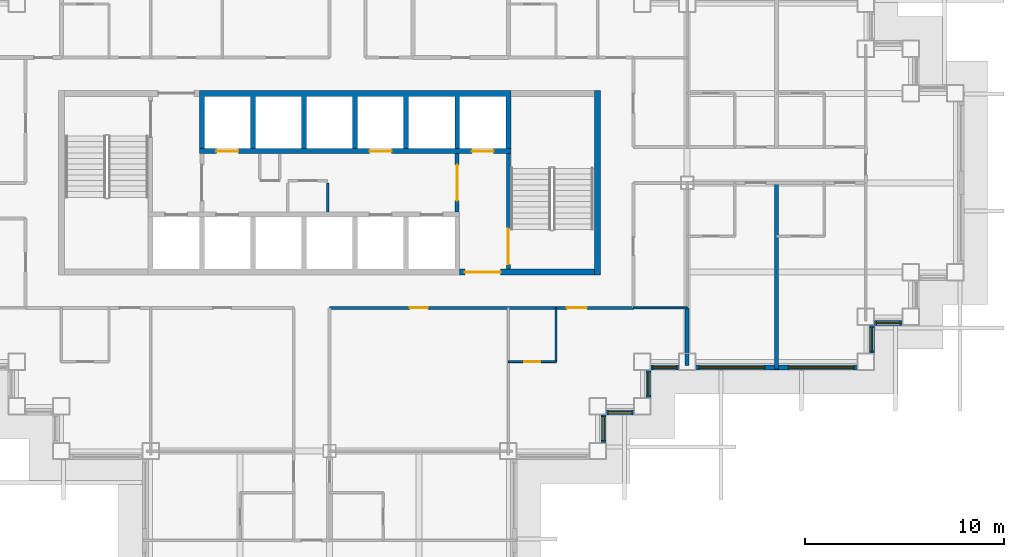
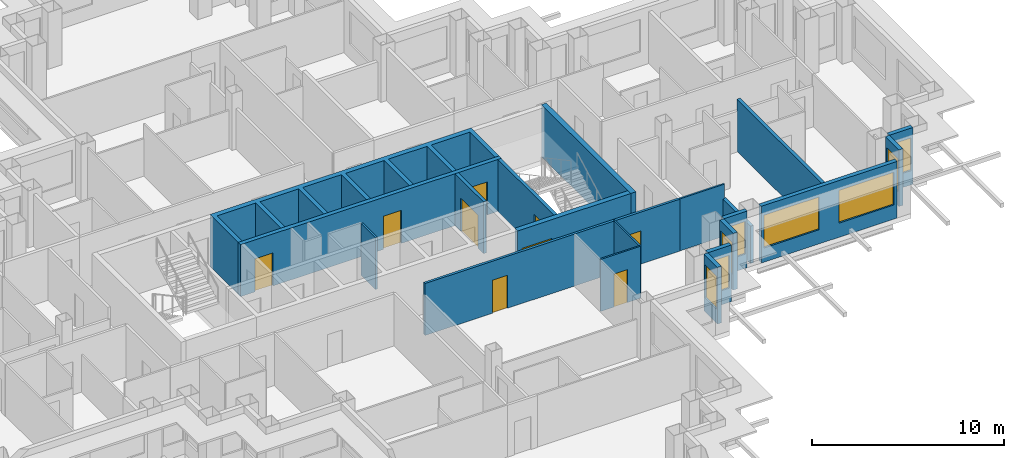
# One storey, part 7 of 17: 20 walls, 9 doors, 8 windows, 17 openings.
"""IFC4 building model written with IfcOpenShell, lengths in metres."""

from ifc_helpers import new_model, si_unit, direction, frame, frame_2d, origin, place, context, subcontext, project, spatial, polyline, rectangle, outline, extrude, material, layer, layer_set, type_object, element, fill, save


model = new_model("IFC4")

# Units and contexts
model_context = context("Model", 3, precision=1e-05, world=origin(), true_north=direction((0.0, 1.0)))
body_context = subcontext(model_context, "Body", "Model", "MODEL_VIEW")
ifc_project = project(units=[si_unit("LENGTHUNIT", "METRE"), si_unit("AREAUNIT", "SQUARE_METRE"), si_unit("VOLUMEUNIT", "CUBIC_METRE"), si_unit("PLANEANGLEUNIT", "RADIAN"), si_unit("MASSUNIT", "GRAM", prefix="KILO")], contexts=[model_context])

# Site, building, storey
site_placement = place(None, origin())
site = spatial("IfcSite", under=ifc_project, at=site_placement, CompositionType="ELEMENT")
building_placement = place(site_placement, origin())
building = spatial("IfcBuilding", under=site, at=building_placement, Name="Caravel Reach Hotel and Residences", CompositionType="ELEMENT")
storey_placement = place(building_placement, frame((0.0, 0.0, 126.0)))
storey = spatial("IfcBuildingStorey", under=building, at=storey_placement, Name="L31", CompositionType="ELEMENT", Elevation=126.0)

# Wall, opening, door
ifc_material_1 = material(Name="Gypsum board on steel stud", Category="steel")
ifc_layer_1 = layer(ifc_material_1, 0.10009765625)
ifc_layer_set_1 = layer_set([ifc_layer_1], Name="Bathroom pod wall 100 mm")
wall_type_1 = type_object("IfcWallType", Name="Bathroom pod wall 100 mm", PredefinedType="PARTITIONING", material=ifc_layer_set_1)
wall_1_placement = place(storey_placement, frame((40.5, 18.0, 0.0), z_axis=(0.0, 0.0, 1.0), x_axis=(1.0, 0.0, 0.0)))
wall_1 = element("IfcWall", 1, at=wall_1_placement, inside=storey, type_object=wall_type_1, Name="L31 wall w070", PredefinedType="PARTITIONING", context=body_context, shape_type="SweptSolid", body=[
    extrude(rectangle(XDim=2.39990234375, YDim=0.10009765625, at=frame_2d((1.199951171875, 0.0))), origin(), (0.0, 0.0, 1.0), 3.300048828125),
])
opening_1_placement = place(wall_1_placement, frame((0.800048828125, 0.0, 0.0)))
opening_1 = element("IfcOpeningElement", 2, at=opening_1_placement, cuts=wall_1, Name="Opening D31-049", PredefinedType="OPENING", context=body_context, shape_type="SweptSolid", body=[
    extrude(rectangle(XDim=0.800048828125, YDim=2.10009765625, at=frame_2d((0.39990234375, 1.050048828125))), frame((0.0, 0.06005859375, 0.0), z_axis=(0.0, -1.0, 0.0), x_axis=(1.0, 0.0, 0.0)), (0.0, 0.0, 1.0), 0.1201171875),
])
ifc_material_2 = material(Name="Timber and steel door leaf", Category="steel")
door_type_1 = type_object("IfcDoorType", Name="Bathroom door 800 x 2100", OperationType="SINGLE_SWING_LEFT", PredefinedType="DOOR", material=ifc_material_2)
door_1_placement = place(opening_1_placement, origin())
door_1 = element("IfcDoor", 3, at=door_1_placement, inside=storey, type_object=door_type_1, Name="door D31-049", OperationType="SINGLE_SWING_RIGHT", OverallHeight=2.10009765625, OverallWidth=0.800048828125, PredefinedType="DOOR", context=body_context, shape_type="SweptSolid", body=[
    extrude(rectangle(XDim=0.800048828125, YDim=2.10009765625, at=frame_2d((0.39990234375, 1.050048828125))), frame((0.0, 0.02490234375, 0.0), z_axis=(0.0, -1.0, 0.0), x_axis=(1.0, 0.0, 0.0)), (0.0, 0.0, 1.0), 0.050048828125),
])
fill(opening_1, door_1)

# Wall
wall_2_placement = place(storey_placement, frame((42.89990234375, 18.0, 0.0), z_axis=(0.0, 0.0, 1.0), x_axis=(0.0, 1.0, 0.0)))
element("IfcWall", 4, at=wall_2_placement, inside=storey, type_object=wall_type_1, Name="L31 wall w091", PredefinedType="PARTITIONING", context=body_context, shape_type="SweptSolid", body=[
    extrude(rectangle(XDim=2.699951171875, YDim=0.10009765625, at=frame_2d((1.35009765625, 0.0))), origin(), (0.0, 0.0, 1.0), 3.300048828125),
])

# Wall, opening, door
ifc_material_3 = material(Name="Concrete C60", Category="concrete")
ifc_layer_2 = layer(ifc_material_3, 0.300048828125)
ifc_layer_set_2 = layer_set([ifc_layer_2], Name="Core wall 300 mm EI 120")
wall_type_2 = type_object("IfcWallType", Name="Core wall 300 mm EI 120", PredefinedType="SHEAR", material=ifc_layer_set_2)
wall_3_placement = place(storey_placement, frame((38.053466796875, 22.5, 0.0), z_axis=(0.0, 0.0, 1.0), x_axis=(1.0, 0.0, 0.0)))
wall_3 = element("IfcWall", 5, at=wall_3_placement, inside=storey, type_object=wall_type_2, Name="L31 core wall S2", PredefinedType="SHEAR", context=body_context, shape_type="SweptSolid", body=[
    extrude(rectangle(XDim=6.796630859375, YDim=0.300048828125, at=frame_2d((3.3984375, 0.0))), origin(), (0.0, 0.0, 1.0), 3.300048828125),
])
opening_2_placement = place(wall_3_placement, frame((0.2607421875, 0.0, 0.0)))
opening_2 = element("IfcOpeningElement", 6, at=opening_2_placement, cuts=wall_3, Name="Opening D31-015", PredefinedType="OPENING", context=body_context, shape_type="SweptSolid", body=[
    extrude(rectangle(XDim=1.800048828125, YDim=2.10009765625, at=frame_2d((0.89990234375, 1.050048828125))), frame((0.0, 0.159912109375, 0.0), z_axis=(0.0, -1.0, 0.0), x_axis=(1.0, 0.0, 0.0)), (0.0, 0.0, 1.0), 0.320068359375),
])
ifc_material_4 = material(Name="Steel fire door leaf", Category="steel")
door_type_2 = type_object("IfcDoorType", Name="Fire lobby door pair 1800 x 2100 EI 90", OperationType="DOUBLE_DOOR_SINGLE_SWING", PredefinedType="DOOR", material=ifc_material_4)
door_2_placement = place(opening_2_placement, origin())
door_2 = element("IfcDoor", 7, at=door_2_placement, inside=storey, type_object=door_type_2, Name="lobby S door pair to corridor", OperationType="DOUBLE_DOOR_SINGLE_SWING", OverallHeight=2.10009765625, OverallWidth=1.800048828125, PredefinedType="DOOR", context=body_context, shape_type="SweptSolid", body=[
    extrude(rectangle(XDim=1.800048828125, YDim=2.10009765625, at=frame_2d((0.89990234375, 1.050048828125))), frame((0.0, 0.02490234375, 0.0), z_axis=(0.0, -1.0, 0.0), x_axis=(1.0, 0.0, 0.0)), (0.0, 0.0, 1.0), 0.050048828125),
])
fill(opening_2, door_2)

# Wall
wall_4_placement = place(storey_placement, frame((45.0, 22.35009765625, 0.0), z_axis=(0.0, 0.0, 1.0), x_axis=(0.0, 1.0, 0.0)))
element("IfcWall", 8, at=wall_4_placement, inside=storey, type_object=wall_type_2, Name="L31 core wall E", PredefinedType="SHEAR", context=body_context, shape_type="SweptSolid", body=[
    extrude(rectangle(XDim=9.2998046875, YDim=0.300048828125, at=frame_2d((4.64990234375, 0.0))), origin(), (0.0, 0.0, 1.0), 3.300048828125),
])

# Wall, openings, doors
ifc_material_5 = material(Name="Gypsum board on steel stud, fire-rated", Category="steel")
ifc_layer_3 = layer(ifc_material_5, 0.14990234375)
ifc_layer_set_3 = layer_set([ifc_layer_3], Name="Corridor wall 150 mm EI 60")
wall_type_3 = type_object("IfcWallType", Name="Corridor wall 150 mm EI 60", PredefinedType="PARTITIONING", material=ifc_layer_set_3)
wall_5_placement = place(storey_placement, frame((31.5, 20.699951171875, 0.0), z_axis=(0.0, 0.0, 1.0), x_axis=(1.0, 0.0, 0.0)))
wall_5 = element("IfcWall", 9, at=wall_5_placement, inside=storey, type_object=wall_type_3, Name="L31 wall w004", PredefinedType="PARTITIONING", context=body_context, shape_type="SweptSolid", body=[
    extrude(rectangle(XDim=15.300048828125, YDim=0.14990234375, at=frame_2d((7.64990234375, 0.0))), origin(), (0.0, 0.0, 1.0), 3.300048828125),
])
opening_3_placement = place(wall_5_placement, frame((11.949951171875, 0.0, 0.0)))
opening_3 = element("IfcOpeningElement", 10, at=opening_3_placement, cuts=wall_5, Name="Opening D31-048", PredefinedType="OPENING", context=body_context, shape_type="SweptSolid", body=[
    extrude(rectangle(XDim=1.0, YDim=2.10009765625, at=frame_2d((0.5, 1.050048828125))), frame((0.0, 0.0849609375, 0.0), z_axis=(0.0, -1.0, 0.0), x_axis=(1.0, 0.0, 0.0)), (0.0, 0.0, 1.0), 0.169921875),
])
opening_4_placement = place(wall_5_placement, frame((4.050048828125, 0.0, 0.0)))
opening_4 = element("IfcOpeningElement", 11, at=opening_4_placement, cuts=wall_5, Name="Opening D31-055", PredefinedType="OPENING", context=body_context, shape_type="SweptSolid", body=[
    extrude(rectangle(XDim=0.89990234375, YDim=2.10009765625, at=frame_2d((0.449951171875, 1.050048828125))), frame((0.0, 0.0849609375, 0.0), z_axis=(0.0, -1.0, 0.0), x_axis=(1.0, 0.0, 0.0)), (0.0, 0.0, 1.0), 0.169921875),
])
ifc_material_6 = material(Name="Timber and steel door leaf", Category="steel")
door_type_3 = type_object("IfcDoorType", Name="Door 900 x 2100 timber", OperationType="SINGLE_SWING_LEFT", PredefinedType="DOOR", material=ifc_material_6)
door_3_placement = place(opening_4_placement, origin())
door_3 = element("IfcDoor", 12, at=door_3_placement, inside=storey, type_object=door_type_3, Name="door D31-055", OperationType="SINGLE_SWING_RIGHT", OverallHeight=2.10009765625, OverallWidth=0.89990234375, PredefinedType="DOOR", context=body_context, shape_type="SweptSolid", body=[
    extrude(rectangle(XDim=0.89990234375, YDim=2.10009765625, at=frame_2d((0.449951171875, 1.050048828125))), frame((0.0, 0.02490234375, 0.0), z_axis=(0.0, -1.0, 0.0), x_axis=(1.0, 0.0, 0.0)), (0.0, 0.0, 1.0), 0.050048828125),
])
fill(opening_4, door_3)
ifc_material_7 = material(Name="Steel fire door leaf", Category="steel")
door_type_4 = type_object("IfcDoorType", Name="Guest room door 1000 x 2100 EI 30", OperationType="SINGLE_SWING_LEFT", PredefinedType="DOOR", material=ifc_material_7)
door_4_placement = place(opening_3_placement, origin())
door_4 = element("IfcDoor", 13, at=door_4_placement, inside=storey, type_object=door_type_4, Name="door D31-048", OperationType="SINGLE_SWING_RIGHT", OverallHeight=2.10009765625, OverallWidth=1.0, PredefinedType="DOOR", context=body_context, shape_type="SweptSolid", body=[
    extrude(rectangle(XDim=1.0, YDim=2.10009765625, at=frame_2d((0.5, 1.050048828125))), frame((0.0, 0.02490234375, 0.0), z_axis=(0.0, -1.0, 0.0), x_axis=(1.0, 0.0, 0.0)), (0.0, 0.0, 1.0), 0.050048828125),
])
fill(opening_3, door_4)

# Wall, opening, window
ifc_material_8 = material(Name="Insulated rainscreen wall, aluminium cladding", Category="aluminium")
ifc_layer_4 = layer(ifc_material_8, 0.25)
ifc_layer_set_4 = layer_set([ifc_layer_4], Name="EW1 Tower rainscreen wall")
wall_type_4 = type_object("IfcWallType", Name="EW1 Tower rainscreen wall", PredefinedType="SOLIDWALL", material=ifc_layer_set_4)
wall_6_placement = place(storey_placement, frame((45.300048828125, 13.925048828125, 0.0), z_axis=(0.0, 0.0, 1.0), x_axis=(0.0, 1.0, 0.0)))
wall_6 = element("IfcWall", 14, at=wall_6_placement, inside=storey, type_object=wall_type_4, Name="External wall L31 E12.1", PredefinedType="SOLIDWALL", context=body_context, shape_type="SweptSolid", body=[
    extrude(rectangle(XDim=1.39990234375, YDim=0.25, at=frame_2d((0.699951171875, 0.0))), origin(), (0.0, 0.0, 1.0), 3.60009765625),
])
opening_5_placement = place(wall_6_placement, frame((0.10009765625, 0.0, 0.89990234375)))
opening_5 = element("IfcOpeningElement", 15, at=opening_5_placement, cuts=wall_6, Name="Opening WN9", PredefinedType="OPENING", context=body_context, shape_type="SweptSolid", body=[
    extrude(rectangle(XDim=1.199951171875, YDim=2.080078125, at=frame_2d((0.60009765625, 1.0400390625))), frame((0.0, 0.135009765625, 0.0), z_axis=(0.0, -1.0, 0.0), x_axis=(1.0, 0.0, 0.0)), (0.0, 0.0, 1.0), 0.27001953125),
])
ifc_material_9 = material(Name="Dark low-e glazing in black aluminium frame", Category="aluminium")
window_type_1 = type_object("IfcWindowType", Name="Hotel suite corner window 1200 x 2080", PartitioningType="SINGLE_PANEL", PredefinedType="WINDOW", material=ifc_material_9)
window_1_placement = place(opening_5_placement, origin())
window_1 = element("IfcWindow", 16, at=window_1_placement, inside=storey, type_object=window_type_1, Name="Window L31 E12.1.1", OverallHeight=2.080078125, OverallWidth=1.199951171875, PartitioningType="SINGLE_PANEL", PredefinedType="WINDOW", context=body_context, shape_type="SweptSolid", body=[
    extrude(rectangle(XDim=1.199951171875, YDim=2.080078125, at=frame_2d((0.60009765625, 1.0400390625))), frame((0.0, 0.030029296875, 0.0), z_axis=(0.0, -1.0, 0.0), x_axis=(1.0, 0.0, 0.0)), (0.0, 0.0, 1.0), 0.06005859375),
])
fill(opening_5, window_1)

wall_7_placement = place(storey_placement, frame((45.425048828125, 15.449951171875, 0.0), z_axis=(0.0, 0.0, 1.0), x_axis=(1.0, 0.0, 0.0)))
wall_7 = element("IfcWall", 17, at=wall_7_placement, inside=storey, type_object=wall_type_4, Name="External wall L31 S13.1", PredefinedType="SOLIDWALL", context=body_context, shape_type="SweptSolid", body=[
    extrude(rectangle(XDim=1.39990234375, YDim=0.25, at=frame_2d((0.699951171875, 0.0))), origin(), (0.0, 0.0, 1.0), 3.60009765625),
])
opening_6_placement = place(wall_7_placement, frame((0.10009765625, 0.0, 0.89990234375)))
opening_6 = element("IfcOpeningElement", 18, at=opening_6_placement, cuts=wall_7, Name="Opening WN9", PredefinedType="OPENING", context=body_context, shape_type="SweptSolid", body=[
    extrude(rectangle(XDim=1.199951171875, YDim=2.080078125, at=frame_2d((0.60009765625, 1.0400390625))), frame((0.0, 0.135009765625, 0.0), z_axis=(0.0, -1.0, 0.0), x_axis=(1.0, 0.0, 0.0)), (0.0, 0.0, 1.0), 0.27001953125),
])
window_2_placement = place(opening_6_placement, origin())
window_2 = element("IfcWindow", 19, at=window_2_placement, inside=storey, type_object=window_type_1, Name="Window L31 S13.1.1", OverallHeight=2.080078125, OverallWidth=1.199951171875, PartitioningType="SINGLE_PANEL", PredefinedType="WINDOW", context=body_context, shape_type="SweptSolid", body=[
    extrude(rectangle(XDim=1.199951171875, YDim=2.080078125, at=frame_2d((0.60009765625, 1.0400390625))), frame((0.0, 0.030029296875, 0.0), z_axis=(0.0, -1.0, 0.0), x_axis=(1.0, 0.0, 0.0)), (0.0, 0.0, 1.0), 0.06005859375),
])
fill(opening_6, window_2)

wall_8_placement = place(storey_placement, frame((47.550048828125, 16.175048828125, 0.0), z_axis=(0.0, 0.0, 1.0), x_axis=(0.0, 1.0, 0.0)))
wall_8 = element("IfcWall", 20, at=wall_8_placement, inside=storey, type_object=wall_type_4, Name="External wall L31 E14.1", PredefinedType="SOLIDWALL", context=body_context, shape_type="SweptSolid", body=[
    extrude(rectangle(XDim=1.39990234375, YDim=0.25, at=frame_2d((0.699951171875, 0.0))), origin(), (0.0, 0.0, 1.0), 3.60009765625),
])
opening_7_placement = place(wall_8_placement, frame((0.10009765625, 0.0, 0.89990234375)))
opening_7 = element("IfcOpeningElement", 21, at=opening_7_placement, cuts=wall_8, Name="Opening WN9", PredefinedType="OPENING", context=body_context, shape_type="SweptSolid", body=[
    extrude(rectangle(XDim=1.199951171875, YDim=2.080078125, at=frame_2d((0.60009765625, 1.0400390625))), frame((0.0, 0.135009765625, 0.0), z_axis=(0.0, -1.0, 0.0), x_axis=(1.0, 0.0, 0.0)), (0.0, 0.0, 1.0), 0.27001953125),
])
window_3_placement = place(opening_7_placement, origin())
window_3 = element("IfcWindow", 22, at=window_3_placement, inside=storey, type_object=window_type_1, Name="Window L31 E14.1.1", OverallHeight=2.080078125, OverallWidth=1.199951171875, PartitioningType="SINGLE_PANEL", PredefinedType="WINDOW", context=body_context, shape_type="SweptSolid", body=[
    extrude(rectangle(XDim=1.199951171875, YDim=2.080078125, at=frame_2d((0.60009765625, 1.0400390625))), frame((0.0, 0.030029296875, 0.0), z_axis=(0.0, -1.0, 0.0), x_axis=(1.0, 0.0, 0.0)), (0.0, 0.0, 1.0), 0.06005859375),
])
fill(opening_7, window_3)

wall_9_placement = place(storey_placement, frame((47.675048828125, 17.699951171875, 0.0), z_axis=(0.0, 0.0, 1.0), x_axis=(1.0, 0.0, 0.0)))
wall_9 = element("IfcWall", 23, at=wall_9_placement, inside=storey, type_object=wall_type_4, Name="External wall L31 S15.1", PredefinedType="SOLIDWALL", context=body_context, shape_type="SweptSolid", body=[
    extrude(rectangle(XDim=1.39990234375, YDim=0.25, at=frame_2d((0.699951171875, 0.0))), origin(), (0.0, 0.0, 1.0), 3.60009765625),
])
opening_8_placement = place(wall_9_placement, frame((0.10009765625, 0.0, 0.89990234375)))
opening_8 = element("IfcOpeningElement", 24, at=opening_8_placement, cuts=wall_9, Name="Opening WN9", PredefinedType="OPENING", context=body_context, shape_type="SweptSolid", body=[
    extrude(rectangle(XDim=1.199951171875, YDim=2.080078125, at=frame_2d((0.60009765625, 1.0400390625))), frame((0.0, 0.135009765625, 0.0), z_axis=(0.0, -1.0, 0.0), x_axis=(1.0, 0.0, 0.0)), (0.0, 0.0, 1.0), 0.27001953125),
])
window_4_placement = place(opening_8_placement, origin())
window_4 = element("IfcWindow", 25, at=window_4_placement, inside=storey, type_object=window_type_1, Name="Window L31 S15.1.1", OverallHeight=2.080078125, OverallWidth=1.199951171875, PartitioningType="SINGLE_PANEL", PredefinedType="WINDOW", context=body_context, shape_type="SweptSolid", body=[
    extrude(rectangle(XDim=1.199951171875, YDim=2.080078125, at=frame_2d((0.60009765625, 1.0400390625))), frame((0.0, 0.030029296875, 0.0), z_axis=(0.0, -1.0, 0.0), x_axis=(1.0, 0.0, 0.0)), (0.0, 0.0, 1.0), 0.06005859375),
])
fill(opening_8, window_4)

# Wall, openings, windows
wall_10_placement = place(storey_placement, frame((49.925048828125, 17.699951171875, 0.0), z_axis=(0.0, 0.0, 1.0), x_axis=(1.0, 0.0, 0.0)))
wall_10 = element("IfcWall", 26, at=wall_10_placement, inside=storey, type_object=wall_type_4, Name="External wall L31 S15.2", PredefinedType="SOLIDWALL", context=body_context, shape_type="SweptSolid", body=[
    extrude(rectangle(XDim=8.14990234375, YDim=0.25, at=frame_2d((4.074951171875, 0.0))), origin(), (0.0, 0.0, 1.0), 3.60009765625),
])
opening_9_placement = place(wall_10_placement, frame((0.175048828125, 0.0, 0.89990234375)))
opening_9 = element("IfcOpeningElement", 27, at=opening_9_placement, cuts=wall_10, Name="Opening WN4", PredefinedType="OPENING", context=body_context, shape_type="SweptSolid", body=[
    extrude(rectangle(XDim=3.300048828125, YDim=2.080078125, at=frame_2d((1.64990234375, 1.0400390625))), frame((0.0, 0.135009765625, 0.0), z_axis=(0.0, -1.0, 0.0), x_axis=(1.0, 0.0, 0.0)), (0.0, 0.0, 1.0), 0.27001953125),
])
opening_10_placement = place(wall_10_placement, frame((4.675048828125, 0.0, 0.89990234375)))
opening_10 = element("IfcOpeningElement", 28, at=opening_10_placement, cuts=wall_10, Name="Opening WN4", PredefinedType="OPENING", context=body_context, shape_type="SweptSolid", body=[
    extrude(rectangle(XDim=3.300048828125, YDim=2.080078125, at=frame_2d((1.64990234375, 1.0400390625))), frame((0.0, 0.135009765625, 0.0), z_axis=(0.0, -1.0, 0.0), x_axis=(1.0, 0.0, 0.0)), (0.0, 0.0, 1.0), 0.27001953125),
])
ifc_material_10 = material(Name="Dark low-e glazing in black aluminium frame", Category="aluminium")
window_type_2 = type_object("IfcWindowType", Name="Hotel guest room window 3300 x 2080", PartitioningType="SINGLE_PANEL", PredefinedType="WINDOW", material=ifc_material_10)
window_5_placement = place(opening_9_placement, origin())
window_5 = element("IfcWindow", 29, at=window_5_placement, inside=storey, type_object=window_type_2, Name="Window L31 S15.2.1", OverallHeight=2.080078125, OverallWidth=3.300048828125, PartitioningType="SINGLE_PANEL", PredefinedType="WINDOW", context=body_context, shape_type="SweptSolid", body=[
    extrude(rectangle(XDim=3.300048828125, YDim=2.080078125, at=frame_2d((1.64990234375, 1.0400390625))), frame((0.0, 0.030029296875, 0.0), z_axis=(0.0, -1.0, 0.0), x_axis=(1.0, 0.0, 0.0)), (0.0, 0.0, 1.0), 0.06005859375),
])
fill(opening_9, window_5)
window_6_placement = place(opening_10_placement, origin())
window_6 = element("IfcWindow", 30, at=window_6_placement, inside=storey, type_object=window_type_2, Name="Window L31 S15.2.2", OverallHeight=2.080078125, OverallWidth=3.300048828125, PartitioningType="SINGLE_PANEL", PredefinedType="WINDOW", context=body_context, shape_type="SweptSolid", body=[
    extrude(rectangle(XDim=3.300048828125, YDim=2.080078125, at=frame_2d((1.64990234375, 1.0400390625))), frame((0.0, 0.030029296875, 0.0), z_axis=(0.0, -1.0, 0.0), x_axis=(1.0, 0.0, 0.0)), (0.0, 0.0, 1.0), 0.06005859375),
])
fill(opening_10, window_6)

# Wall, opening, window
wall_11_placement = place(storey_placement, frame((58.800048828125, 18.425048828125, 0.0), z_axis=(0.0, 0.0, 1.0), x_axis=(0.0, 1.0, 0.0)))
wall_11 = element("IfcWall", 31, at=wall_11_placement, inside=storey, type_object=wall_type_4, Name="External wall L31 E16.1", PredefinedType="SOLIDWALL", context=body_context, shape_type="SweptSolid", body=[
    extrude(rectangle(XDim=1.39990234375, YDim=0.25, at=frame_2d((0.699951171875, 0.0))), origin(), (0.0, 0.0, 1.0), 3.60009765625),
])
opening_11_placement = place(wall_11_placement, frame((0.10009765625, 0.0, 0.89990234375)))
opening_11 = element("IfcOpeningElement", 32, at=opening_11_placement, cuts=wall_11, Name="Opening WN9", PredefinedType="OPENING", context=body_context, shape_type="SweptSolid", body=[
    extrude(rectangle(XDim=1.199951171875, YDim=2.080078125, at=frame_2d((0.60009765625, 1.0400390625))), frame((0.0, 0.135009765625, 0.0), z_axis=(0.0, -1.0, 0.0), x_axis=(1.0, 0.0, 0.0)), (0.0, 0.0, 1.0), 0.27001953125),
])
window_7_placement = place(opening_11_placement, origin())
window_7 = element("IfcWindow", 33, at=window_7_placement, inside=storey, type_object=window_type_1, Name="Window L31 E16.1.1", OverallHeight=2.080078125, OverallWidth=1.199951171875, PartitioningType="SINGLE_PANEL", PredefinedType="WINDOW", context=body_context, shape_type="SweptSolid", body=[
    extrude(rectangle(XDim=1.199951171875, YDim=2.080078125, at=frame_2d((0.60009765625, 1.0400390625))), frame((0.0, 0.030029296875, 0.0), z_axis=(0.0, -1.0, 0.0), x_axis=(1.0, 0.0, 0.0)), (0.0, 0.0, 1.0), 0.06005859375),
])
fill(opening_11, window_7)

wall_12_placement = place(storey_placement, frame((58.925048828125, 19.949951171875, 0.0), z_axis=(0.0, 0.0, 1.0), x_axis=(1.0, 0.0, 0.0)))
wall_12 = element("IfcWall", 34, at=wall_12_placement, inside=storey, type_object=wall_type_4, Name="External wall L31 S17.1", PredefinedType="SOLIDWALL", context=body_context, shape_type="SweptSolid", body=[
    extrude(rectangle(XDim=1.39990234375, YDim=0.25, at=frame_2d((0.699951171875, 0.0))), origin(), (0.0, 0.0, 1.0), 3.60009765625),
])
opening_12_placement = place(wall_12_placement, frame((0.10009765625, 0.0, 0.89990234375)))
opening_12 = element("IfcOpeningElement", 35, at=opening_12_placement, cuts=wall_12, Name="Opening WN9", PredefinedType="OPENING", context=body_context, shape_type="SweptSolid", body=[
    extrude(rectangle(XDim=1.199951171875, YDim=2.080078125, at=frame_2d((0.60009765625, 1.0400390625))), frame((0.0, 0.135009765625, 0.0), z_axis=(0.0, -1.0, 0.0), x_axis=(1.0, 0.0, 0.0)), (0.0, 0.0, 1.0), 0.27001953125),
])
window_8_placement = place(opening_12_placement, origin())
window_8 = element("IfcWindow", 36, at=window_8_placement, inside=storey, type_object=window_type_1, Name="Window L31 S17.1.1", OverallHeight=2.080078125, OverallWidth=1.199951171875, PartitioningType="SINGLE_PANEL", PredefinedType="WINDOW", context=body_context, shape_type="SweptSolid", body=[
    extrude(rectangle(XDim=1.199951171875, YDim=2.080078125, at=frame_2d((0.60009765625, 1.0400390625))), frame((0.0, 0.030029296875, 0.0), z_axis=(0.0, -1.0, 0.0), x_axis=(1.0, 0.0, 0.0)), (0.0, 0.0, 1.0), 0.06005859375),
])
fill(opening_12, window_8)

# Wall, opening, door
ifc_material_11 = material(Name="Autoclaved aerated block wall")
ifc_layer_5 = layer(ifc_material_11, 0.199951171875)
ifc_layer_set_5 = layer_set([ifc_layer_5], Name="Fire lobby wall 200 mm EI 120")
wall_type_5 = type_object("IfcWallType", Name="Fire lobby wall 200 mm EI 120", PredefinedType="PARTITIONING", material=ifc_layer_set_5)
wall_13_placement = place(storey_placement, frame((37.928466796875, 25.52490234375, 0.0), z_axis=(0.0, 0.0, 1.0), x_axis=(0.0, 1.0, 0.0)))
wall_13 = element("IfcWall", 37, at=wall_13_placement, inside=storey, type_object=wall_type_5, Name="L31 lobby E wall", PredefinedType="PARTITIONING", context=body_context, shape_type="SweptSolid", body=[
    extrude(rectangle(XDim=2.9501953125, YDim=0.199951171875, at=frame_2d((1.47509765625, 0.0))), origin(), (0.0, 0.0, 1.0), 3.300048828125),
])
opening_13_placement = place(wall_13_placement, frame((0.574951171875, 0.0, 0.0)))
opening_13 = element("IfcOpeningElement", 38, at=opening_13_placement, cuts=wall_13, Name="Opening D31-013", PredefinedType="OPENING", context=body_context, shape_type="SweptSolid", body=[
    extrude(rectangle(XDim=1.800048828125, YDim=2.10009765625, at=frame_2d((0.89990234375, 1.050048828125))), frame((0.0, 0.10986328125, 0.0), z_axis=(0.0, -1.0, 0.0), x_axis=(1.0, 0.0, 0.0)), (0.0, 0.0, 1.0), 0.219970703125),
])
door_5_placement = place(opening_13_placement, origin())
door_5 = element("IfcDoor", 39, at=door_5_placement, inside=storey, type_object=door_type_2, Name="lobby E door pair", OperationType="DOUBLE_DOOR_SINGLE_SWING", OverallHeight=2.10009765625, OverallWidth=1.800048828125, PredefinedType="DOOR", context=body_context, shape_type="SweptSolid", body=[
    extrude(rectangle(XDim=1.800048828125, YDim=2.10009765625, at=frame_2d((0.89990234375, 1.050048828125))), frame((0.0, 0.02490234375, 0.0), z_axis=(0.0, -1.0, 0.0), x_axis=(1.0, 0.0, 0.0)), (0.0, 0.0, 1.0), 0.050048828125),
])
fill(opening_13, door_5)

# Walls
ifc_material_12 = material(Name="Gypsum board on steel stud", Category="steel")
ifc_layer_6 = layer(ifc_material_12, 0.10009765625)
ifc_layer_set_6 = layer_set([ifc_layer_6], Name="Partition 100 mm")
wall_type_6 = type_object("IfcWallType", Name="Partition 100 mm", PredefinedType="PARTITIONING", material=ifc_layer_set_6)
wall_14_placement = place(storey_placement, frame((46.800048828125, 20.699951171875, 0.0), z_axis=(0.0, 0.0, 1.0), x_axis=(1.0, 0.0, 0.0)))
element("IfcWall", 40, at=wall_14_placement, inside=storey, type_object=wall_type_6, Name="L31 wall w040", PredefinedType="PARTITIONING", context=body_context, shape_type="SweptSolid", body=[
    extrude(rectangle(XDim=2.699951171875, YDim=0.10009765625, at=frame_2d((1.35009765625, 0.0))), origin(), (0.0, 0.0, 1.0), 3.300048828125),
])
ifc_material_13 = material(Name="Autoclaved aerated block wall")
ifc_layer_7 = layer(ifc_material_13, 0.199951171875)
ifc_layer_set_7 = layer_set([ifc_layer_7], Name="Party wall 200 mm EI 60")
wall_type_7 = type_object("IfcWallType", Name="Party wall 200 mm EI 60", PredefinedType="PARTITIONING", material=ifc_layer_set_7)
wall_15_placement = place(storey_placement, frame((49.5, 17.81005859375, 0.0), z_axis=(0.0, 0.0, 1.0), x_axis=(0.0, 1.0, 0.0)))
element("IfcWall", 41, at=wall_15_placement, inside=storey, type_object=wall_type_7, Name="L31 wall w064", PredefinedType="PARTITIONING", context=body_context, shape_type="SweptSolid", body=[
    extrude(rectangle(XDim=2.889892578125, YDim=0.199951171875, at=frame_2d((1.44482421875, 0.0))), origin(), (0.0, 0.0, 1.0), 2.3798828125),
])
wall_16_placement = place(storey_placement, frame((54.0, 17.635009765625, 0.0), z_axis=(0.0, 0.0, 1.0), x_axis=(0.0, 1.0, 0.0)))
element("IfcWall", 42, at=wall_16_placement, inside=storey, type_object=wall_type_7, Name="L31 wall w066", PredefinedType="PARTITIONING", context=body_context, shape_type="SweptSolid", body=[
    extrude(rectangle(XDim=9.364990234375, YDim=0.199951171875, at=frame_2d((4.6826171875, 0.0))), origin(), (0.0, 0.0, 1.0), 3.300048828125),
])
ifc_material_14 = material(Name="Autoclaved aerated block wall")
ifc_layer_8 = layer(ifc_material_14, 0.125)
ifc_layer_set_8 = layer_set([ifc_layer_8], Name="Riser wall 125 mm EI 60")
wall_type_8 = type_object("IfcWallType", Name="Riser wall 125 mm EI 60", PredefinedType="PARTITIONING", material=ifc_layer_set_8)
wall_17_placement = place(storey_placement, frame((31.39990234375, 25.52490234375, 0.0), z_axis=(0.0, 0.0, 1.0), x_axis=(0.0, 1.0, 0.0)))
element("IfcWall", 43, at=wall_17_placement, inside=storey, type_object=wall_type_8, Name="L31 service room partition S1", PredefinedType="PARTITIONING", context=body_context, shape_type="SweptSolid", body=[
    extrude(rectangle(XDim=1.47509765625, YDim=0.125, at=frame_2d((0.737548828125, 0.0))), origin(), (0.0, 0.0, 1.0), 3.300048828125),
])
ifc_material_15 = material(Name="Concrete C60", Category="concrete")
ifc_layer_9 = layer(ifc_material_15, 0.25)
ifc_layer_set_9 = layer_set([ifc_layer_9], Name="Shaft wall 250 mm EI 120")
wall_type_9 = type_object("IfcWallType", Name="Shaft wall 250 mm EI 120", PredefinedType="SHEAR", material=ifc_layer_set_9)
wall_18_placement = place(storey_placement, origin())
element("IfcWall", 44, at=wall_18_placement, inside=storey, type_object=wall_type_9, Name="L31 lift shaft wall N1", PredefinedType="SHEAR", context=body_context, shape_type="SweptSolid", body=[
    extrude(outline(polyline([(24.946533203125, 28.72509765625), (25.196533203125, 28.72509765625), (25.196533203125, 31.35009765625), (27.517822265625, 31.35009765625), (27.517822265625, 28.72509765625), (27.767822265625, 28.72509765625), (27.767822265625, 31.35009765625), (30.08935546875, 31.35009765625), (30.08935546875, 28.72509765625), (30.33935546875, 28.72509765625), (30.33935546875, 31.35009765625), (32.66064453125, 31.35009765625), (32.66064453125, 28.72509765625), (32.91064453125, 28.72509765625), (32.91064453125, 31.35009765625), (35.232177734375, 31.35009765625), (35.232177734375, 28.72509765625), (35.482177734375, 28.72509765625), (35.482177734375, 31.35009765625), (37.803466796875, 31.35009765625), (37.803466796875, 28.72509765625), (38.053466796875, 28.72509765625), (38.053466796875, 31.35009765625), (40.375, 31.35009765625), (40.375, 28.72509765625), (40.625, 28.72509765625), (40.625, 31.64990234375), (24.946533203125, 31.64990234375), (24.946533203125, 28.72509765625)])), origin(), (0.0, 0.0, 1.0), 3.300048828125),
])

# Wall, openings, doors
wall_19_placement = place(storey_placement, frame((24.946533203125, 28.60009765625, 0.0), z_axis=(0.0, 0.0, 1.0), x_axis=(1.0, 0.0, 0.0)))
wall_19 = element("IfcWall", 45, at=wall_19_placement, inside=storey, type_object=wall_type_9, Name="L31 lobby wall N1", PredefinedType="SHEAR", context=body_context, shape_type="SweptSolid", body=[
    extrude(rectangle(XDim=15.678466796875, YDim=0.25, at=frame_2d((7.83935546875, 0.0))), origin(), (0.0, 0.0, 1.0), 3.300048828125),
])
opening_14_placement = place(wall_19_placement, frame((0.860595703125, 0.0, 0.0)))
opening_14 = element("IfcOpeningElement", 46, at=opening_14_placement, cuts=wall_19, Name="Opening D31-004", PredefinedType="OPENING", context=body_context, shape_type="SweptSolid", body=[
    extrude(rectangle(XDim=1.10009765625, YDim=2.10009765625, at=frame_2d((0.550048828125, 1.050048828125))), frame((0.0, 0.135009765625, 0.0), z_axis=(0.0, -1.0, 0.0), x_axis=(1.0, 0.0, 0.0)), (0.0, 0.0, 1.0), 0.27001953125),
])
opening_15_placement = place(wall_19_placement, frame((8.574951171875, 0.0, 0.0)))
opening_15 = element("IfcOpeningElement", 47, at=opening_15_placement, cuts=wall_19, Name="Opening D31-005", PredefinedType="OPENING", context=body_context, shape_type="SweptSolid", body=[
    extrude(rectangle(XDim=1.10009765625, YDim=2.10009765625, at=frame_2d((0.550048828125, 1.050048828125))), frame((0.0, 0.135009765625, 0.0), z_axis=(0.0, -1.0, 0.0), x_axis=(1.0, 0.0, 0.0)), (0.0, 0.0, 1.0), 0.27001953125),
])
opening_16_placement = place(wall_19_placement, frame((13.718017578125, 0.0, 0.0)))
opening_16 = element("IfcOpeningElement", 48, at=opening_16_placement, cuts=wall_19, Name="Opening D31-007", PredefinedType="OPENING", context=body_context, shape_type="SweptSolid", body=[
    extrude(rectangle(XDim=1.10009765625, YDim=2.10009765625, at=frame_2d((0.550048828125, 1.050048828125))), frame((0.0, 0.135009765625, 0.0), z_axis=(0.0, -1.0, 0.0), x_axis=(1.0, 0.0, 0.0)), (0.0, 0.0, 1.0), 0.27001953125),
])
ifc_material_16 = material(Name="Stainless steel landing door", Category="steel")
door_type_5 = type_object("IfcDoorType", Name="Landing door LD 1100 x 2100 sliding", OperationType="DOUBLE_DOOR_SLIDING", PredefinedType="DOOR", material=ifc_material_16)
door_6_placement = place(opening_14_placement, origin())
door_6 = element("IfcDoor", 49, at=door_6_placement, inside=storey, type_object=door_type_5, Name="LP4 landing door", OperationType="DOUBLE_DOOR_SLIDING", OverallHeight=2.10009765625, OverallWidth=1.10009765625, PredefinedType="DOOR", context=body_context, shape_type="SweptSolid", body=[
    extrude(rectangle(XDim=1.10009765625, YDim=2.10009765625, at=frame_2d((0.550048828125, 1.050048828125))), frame((0.0, 0.02490234375, 0.0), z_axis=(0.0, -1.0, 0.0), x_axis=(1.0, 0.0, 0.0)), (0.0, 0.0, 1.0), 0.050048828125),
])
fill(opening_14, door_6)
door_7_placement = place(opening_15_placement, origin())
door_7 = element("IfcDoor", 50, at=door_7_placement, inside=storey, type_object=door_type_5, Name="LP5 landing door", OperationType="DOUBLE_DOOR_SLIDING", OverallHeight=2.10009765625, OverallWidth=1.10009765625, PredefinedType="DOOR", context=body_context, shape_type="SweptSolid", body=[
    extrude(rectangle(XDim=1.10009765625, YDim=2.10009765625, at=frame_2d((0.550048828125, 1.050048828125))), frame((0.0, 0.02490234375, 0.0), z_axis=(0.0, -1.0, 0.0), x_axis=(1.0, 0.0, 0.0)), (0.0, 0.0, 1.0), 0.050048828125),
])
fill(opening_15, door_7)
door_8_placement = place(opening_16_placement, origin())
door_8 = element("IfcDoor", 51, at=door_8_placement, inside=storey, type_object=door_type_5, Name="FL2 landing door", OperationType="DOUBLE_DOOR_SLIDING", OverallHeight=2.10009765625, OverallWidth=1.10009765625, PredefinedType="DOOR", context=body_context, shape_type="SweptSolid", body=[
    extrude(rectangle(XDim=1.10009765625, YDim=2.10009765625, at=frame_2d((0.550048828125, 1.050048828125))), frame((0.0, 0.02490234375, 0.0), z_axis=(0.0, -1.0, 0.0), x_axis=(1.0, 0.0, 0.0)), (0.0, 0.0, 1.0), 0.050048828125),
])
fill(opening_16, door_8)

# Wall, opening, door
ifc_material_17 = material(Name="Concrete C60", Category="concrete")
ifc_layer_10 = layer(ifc_material_17, 0.199951171875)
ifc_layer_set_10 = layer_set([ifc_layer_10], Name="Stair enclosure wall 200 mm EI 120")
wall_type_10 = type_object("IfcWallType", Name="Stair enclosure wall 200 mm EI 120", PredefinedType="SHEAR", material=ifc_layer_set_10)
wall_20_placement = place(storey_placement, frame((40.5, 22.64990234375, 0.0), z_axis=(0.0, 0.0, 1.0), x_axis=(0.0, 1.0, 0.0)))
wall_20 = element("IfcWall", 52, at=wall_20_placement, inside=storey, type_object=wall_type_10, Name="L31 stair B wall", PredefinedType="SHEAR", context=body_context, shape_type="SweptSolid", body=[
    extrude(rectangle(XDim=5.8251953125, YDim=0.199951171875, at=frame_2d((2.91259765625, 0.0))), origin(), (0.0, 0.0, 1.0), 3.300048828125),
])
opening_17_placement = place(wall_20_placement, frame((0.25, 0.0, 0.0)))
opening_17 = element("IfcOpeningElement", 53, at=opening_17_placement, cuts=wall_20, Name="Opening D31-011", PredefinedType="OPENING", context=body_context, shape_type="SweptSolid", body=[
    extrude(rectangle(XDim=1.800048828125, YDim=2.10009765625, at=frame_2d((0.89990234375, 1.050048828125))), frame((0.0, 0.10986328125, 0.0), z_axis=(0.0, -1.0, 0.0), x_axis=(1.0, 0.0, 0.0)), (0.0, 0.0, 1.0), 0.219970703125),
])
ifc_material_18 = material(Name="Steel fire door leaf", Category="steel")
door_type_6 = type_object("IfcDoorType", Name="Stair door pair 1800 x 2100 EI 90", OperationType="DOUBLE_DOOR_SINGLE_SWING", PredefinedType="DOOR", material=ifc_material_18)
door_9_placement = place(opening_17_placement, origin())
door_9 = element("IfcDoor", 54, at=door_9_placement, inside=storey, type_object=door_type_6, Name="stair B door pair", OperationType="DOUBLE_DOOR_SINGLE_SWING", OverallHeight=2.10009765625, OverallWidth=1.800048828125, PredefinedType="DOOR", context=body_context, shape_type="SweptSolid", body=[
    extrude(rectangle(XDim=1.800048828125, YDim=2.10009765625, at=frame_2d((0.89990234375, 1.050048828125))), frame((0.0, 0.02490234375, 0.0), z_axis=(0.0, -1.0, 0.0), x_axis=(1.0, 0.0, 0.0)), (0.0, 0.0, 1.0), 0.050048828125),
])
fill(opening_17, door_9)

save(model, "model.ifc")
